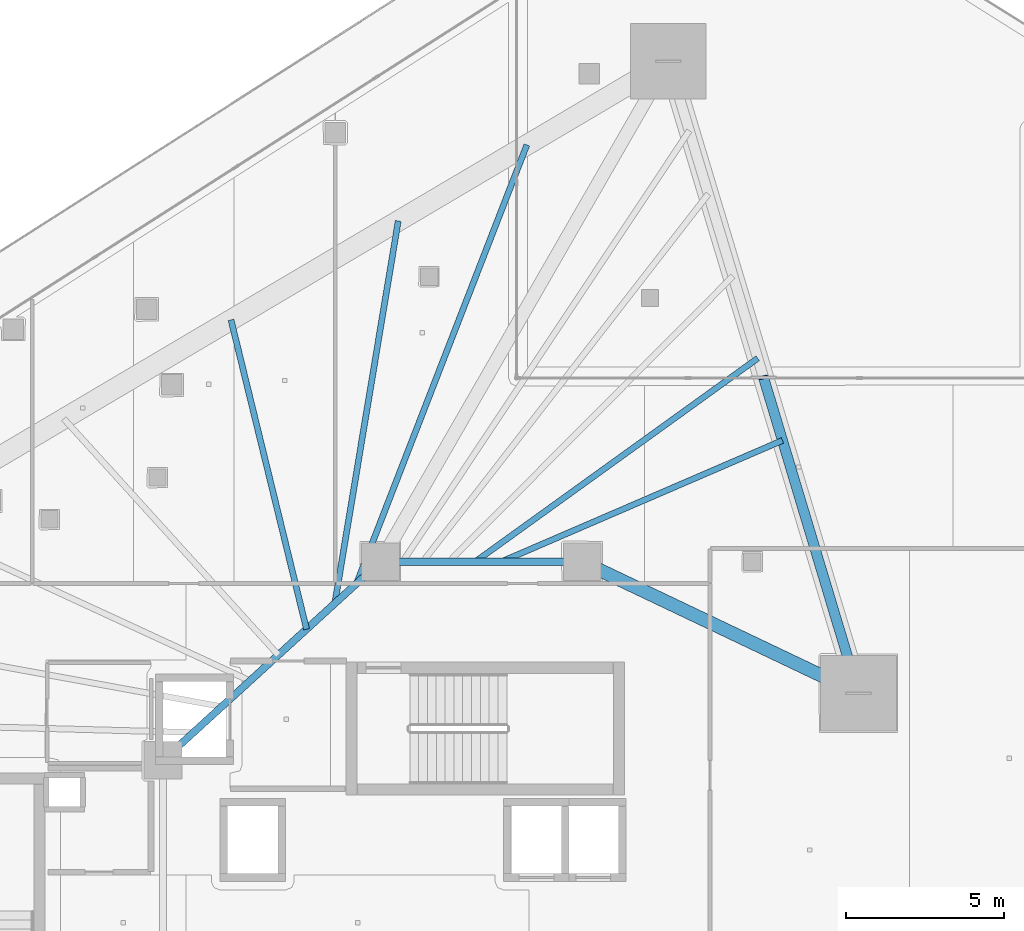
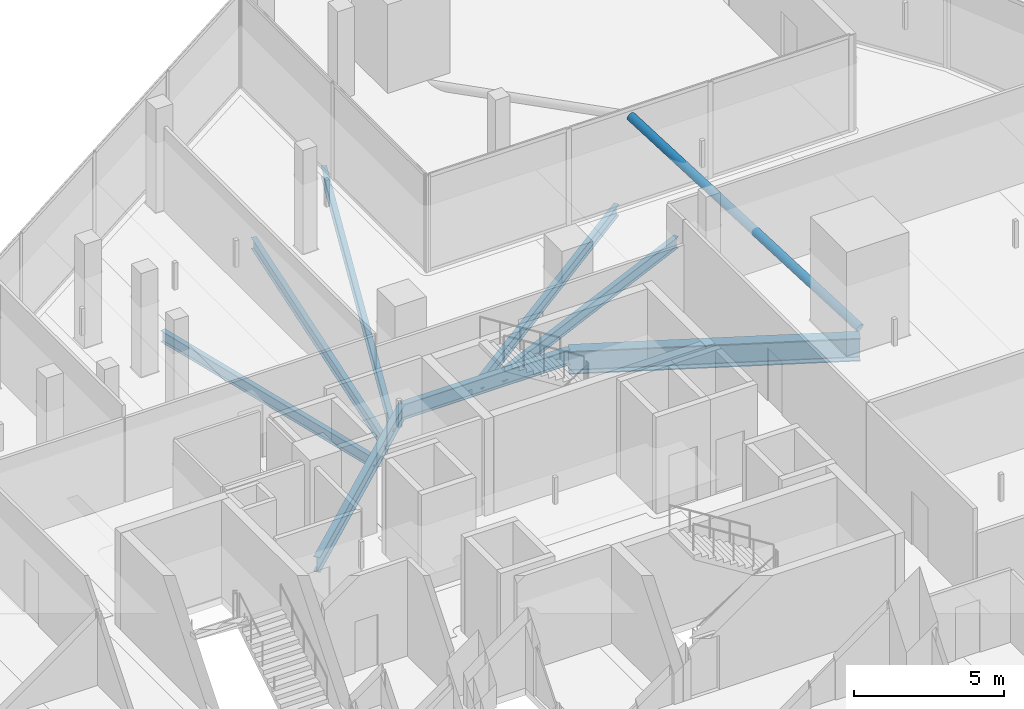
# One storey, part 17 of 44: 8 beams, 1 member.
"""IFC4 building model written with IfcOpenShell, lengths in metres."""

from ifc_helpers import new_model, si_unit, direction, frame, origin, origin_2d, place, context, subcontext, project, spatial, hollow_circle, i_section, extrude, material, material_profile, profile_set, type_object, element, save


model = new_model("IFC4")

# Units and contexts
model_context = context("Model", 3, precision=1e-05, world=origin(), true_north=direction((0.0, 1.0)))
body_context = subcontext(model_context, "Body", "Model", "MODEL_VIEW")
ifc_project = project(units=[si_unit("LENGTHUNIT", "METRE"), si_unit("AREAUNIT", "SQUARE_METRE"), si_unit("VOLUMEUNIT", "CUBIC_METRE"), si_unit("PLANEANGLEUNIT", "RADIAN"), si_unit("MASSUNIT", "GRAM", prefix="KILO")], contexts=[model_context])

# Site, building, storey
site_placement = place(None, origin())
site = spatial("IfcSite", under=ifc_project, at=site_placement, CompositionType="ELEMENT")
building_placement = place(site_placement, origin())
building = spatial("IfcBuilding", under=site, at=building_placement, Name="Qorvath Tower", CompositionType="ELEMENT")
storey_placement = place(building_placement, frame((0.0, 0.0, 78.60009765625)))
storey = spatial("IfcBuildingStorey", under=building, at=storey_placement, Name="L17", CompositionType="ELEMENT", Elevation=78.60009765625)

# Beams
ifc_material_1 = material(Name="Steel ASTM A992 Grade 50", Category="steel")
ifc_material_profile_1 = material_profile(ifc_material_1, i_section(OverallWidth=0.422119140625, OverallDepth=0.93310546875, WebThickness=0.021240234375, FlangeThickness=0.039794921875, FilletRadius=0.02392578125, at=origin_2d()), Name="W36x262")
ifc_profile_set_1 = profile_set([ifc_material_profile_1], Name="Steel ASTM A992 Grade 50")
beam_type_1 = type_object("IfcBeamType", Name="BM-FG1", PredefinedType="BEAM", material=ifc_profile_set_1)
beam_1_placement = place(storey_placement, frame((-17.199951171875, 11.449951171875, -0.74658203125), z_axis=(0.902955751435, -0.429733534821, 0.0), x_axis=(0.429733534821, 0.902955751435, 0.0)))
element("IfcBeam", 1, at=beam_1_placement, inside=storey, type_object=beam_type_1, Name="Radial Floor Girder CC2-MC5 L17", PredefinedType="BEAM", context=body_context, shape_type="SweptSolid", body=[
    extrude(i_section(OverallWidth=0.422119140625, OverallDepth=0.93310546875, WebThickness=0.021240234375, FlangeThickness=0.039794921875, FilletRadius=0.02392578125, at=origin_2d()), origin(), (0.0, 0.0, 1.0), 9.7119140625),
])
ifc_material_2 = material(Name="Steel ASTM A992 Grade 50", Category="steel")
ifc_material_profile_2 = material_profile(ifc_material_2, i_section(OverallWidth=0.22998046875, OverallDepth=0.616943359375, WebThickness=0.01318359375, FlangeThickness=0.022216796875, FilletRadius=0.014892578125, at=origin_2d()), Name="W24x94")
ifc_profile_set_2 = profile_set([ifc_material_profile_2], Name="Steel ASTM A992 Grade 50")
beam_type_2 = type_object("IfcBeamType", Name="BM-FG6", PredefinedType="BEAM", material=ifc_profile_set_2)
beam_2_placement = place(storey_placement, frame((-23.60009765625, 11.449951171875, -0.58837890625), z_axis=(1.0, 0.0, 0.0), x_axis=(0.0, 1.0, 0.0)))
element("IfcBeam", 2, at=beam_2_placement, inside=storey, type_object=beam_type_2, Name="Core Ring Girder CC1-CC2 L17", PredefinedType="BEAM", context=body_context, shape_type="SweptSolid", body=[
    extrude(i_section(OverallWidth=0.22998046875, OverallDepth=0.616943359375, WebThickness=0.01318359375, FlangeThickness=0.022216796875, FilletRadius=0.014892578125, at=origin_2d()), origin(), (0.0, 0.0, 1.0), 6.400146484375),
])
beam_3_placement = place(storey_placement, frame((-30.5, 5.14990234375, -0.58837890625), z_axis=(0.73847813985, 0.6742774184, 0.0), x_axis=(-0.6742774184, 0.73847813985, 0.0)))
element("IfcBeam", 3, at=beam_3_placement, inside=storey, type_object=beam_type_2, Name="Core Ring Girder CC5-CC1 L17", PredefinedType="BEAM", context=body_context, shape_type="SweptSolid", body=[
    extrude(i_section(OverallWidth=0.22998046875, OverallDepth=0.616943359375, WebThickness=0.01318359375, FlangeThickness=0.022216796875, FilletRadius=0.014892578125, at=origin_2d()), origin(), (0.0, 0.0, 1.0), 9.343505859375),
])
ifc_material_3 = material(Name="Steel ASTM A992 Grade 50", Category="steel")
ifc_material_profile_3 = material_profile(ifc_material_3, i_section(OverallWidth=0.18994140625, OverallDepth=0.45703125, WebThickness=0.009033203125, FlangeThickness=0.014404296875, FilletRadius=0.011962890625, at=origin_2d()), Name="W18x50")
ifc_profile_set_3 = profile_set([ifc_material_profile_3], Name="Steel ASTM A992 Grade 50")
beam_type_3 = type_object("IfcBeamType", Name="BM-FJ2", PredefinedType="JOIST", material=ifc_profile_set_3)
beam_4_placement = place(storey_placement, frame((-19.760009765625, 11.449951171875, -0.508544921875), z_axis=(0.918135537923, 0.396266493667, 0.0), x_axis=(-0.396266493667, 0.918135537923, 0.0)))
element("IfcBeam", 4, at=beam_4_placement, inside=storey, type_object=beam_type_3, Name="Composite Floor Joist NE3 L17", PredefinedType="JOIST", context=body_context, shape_type="SweptSolid", body=[
    extrude(i_section(OverallWidth=0.18994140625, OverallDepth=0.45703125, WebThickness=0.009033203125, FlangeThickness=0.014404296875, FilletRadius=0.011962890625, at=origin_2d()), origin(), (0.0, 0.0, 1.0), 9.7109375),
])
beam_5_placement = place(storey_placement, frame((-20.592041015625, 11.449951171875, -0.508544921875), z_axis=(0.811469358397, 0.584394969505, 0.0), x_axis=(-0.584394969505, 0.811469358397, 0.0)))
element("IfcBeam", 5, at=beam_5_placement, inside=storey, type_object=beam_type_3, Name="Composite Floor Joist NE4 L17", PredefinedType="JOIST", context=body_context, shape_type="SweptSolid", body=[
    extrude(i_section(OverallWidth=0.18994140625, OverallDepth=0.45703125, WebThickness=0.009033203125, FlangeThickness=0.014404296875, FilletRadius=0.011962890625, at=origin_2d()), origin(), (0.0, 0.0, 1.0), 11.046142578125),
])
beam_6_placement = place(storey_placement, frame((-25.946044921875, 9.30810546875, -0.508544921875), z_axis=(-0.237165308581, 0.97146930801, 0.0), x_axis=(-0.97146930801, -0.237165308581, 0.0)))
element("IfcBeam", 6, at=beam_6_placement, inside=storey, type_object=beam_type_3, Name="Composite Floor Joist NW5 L17", PredefinedType="JOIST", context=body_context, shape_type="SweptSolid", body=[
    extrude(i_section(OverallWidth=0.18994140625, OverallDepth=0.45703125, WebThickness=0.009033203125, FlangeThickness=0.014404296875, FilletRadius=0.011962890625, at=origin_2d()), origin(), (0.0, 0.0, 1.0), 10.104736328125),
])
beam_7_placement = place(storey_placement, frame((-25.049072265625, 10.126953125, -0.508544921875), z_axis=(0.163639384475, 0.98652022374, 0.0), x_axis=(-0.98652022374, 0.163639384475, 0.0)))
element("IfcBeam", 7, at=beam_7_placement, inside=storey, type_object=beam_type_3, Name="Composite Floor Joist NW6 L17", PredefinedType="JOIST", context=body_context, shape_type="SweptSolid", body=[
    extrude(i_section(OverallWidth=0.18994140625, OverallDepth=0.45703125, WebThickness=0.009033203125, FlangeThickness=0.014404296875, FilletRadius=0.011962890625, at=origin_2d()), origin(), (0.0, 0.0, 1.0), 12.301025390625),
])
beam_8_placement = place(storey_placement, frame((-24.35888671875, 10.757080078125, -0.508544921875), z_axis=(0.361964096586, 0.93219203643, 0.0), x_axis=(-0.93219203643, 0.361964096586, 0.0)))
element("IfcBeam", 8, at=beam_8_placement, inside=storey, type_object=beam_type_3, Name="Composite Floor Joist NW7 L17", PredefinedType="JOIST", context=body_context, shape_type="SweptSolid", body=[
    extrude(i_section(OverallWidth=0.18994140625, OverallDepth=0.45703125, WebThickness=0.009033203125, FlangeThickness=0.014404296875, FilletRadius=0.011962890625, at=origin_2d()), origin(), (0.0, 0.0, 1.0), 14.93115234375),
])

# Member
ifc_material_4 = material(Name="Steel ASTM A500 Grade C", Category="steel")
ifc_material_profile_4 = material_profile(ifc_material_4, hollow_circle(Radius=0.161865234375, WallThickness=0.0126953125, at=origin_2d()), Name="CHS 324x12.7")
ifc_profile_set_4 = profile_set([ifc_material_profile_4], Name="Steel ASTM A500 Grade C")
member_type = type_object("IfcMemberType", Name="MEM-ST1", PredefinedType="STRUT", material=ifc_profile_set_4)
member_placement = place(storey_placement, frame((-8.430419921875, 7.2763671875, 0.0), z_axis=(-0.272699385737, 0.90637181125, 0.322684342337), x_axis=(-0.957596888546, -0.288111435119, 0.0)))
element("IfcMember", 9, at=member_placement, inside=storey, type_object=member_type, Name="Sky Garden Corner Strut L17-A", PredefinedType="STRUT", context=body_context, shape_type="SweptSolid", body=[
    extrude(hollow_circle(Radius=0.161865234375, WallThickness=0.0126953125, at=origin_2d()), origin(), (0.0, 0.0, 1.0), 11.06298828125),
])

save(model, "model.ifc")
